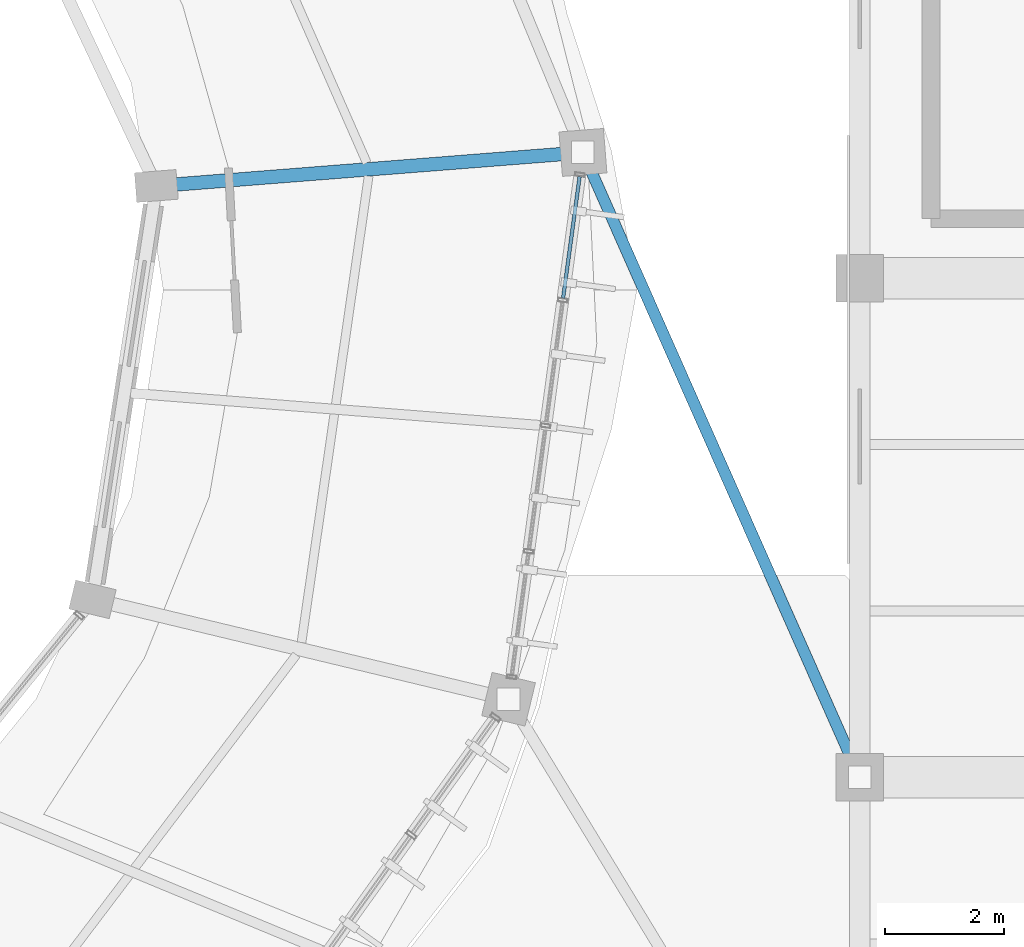
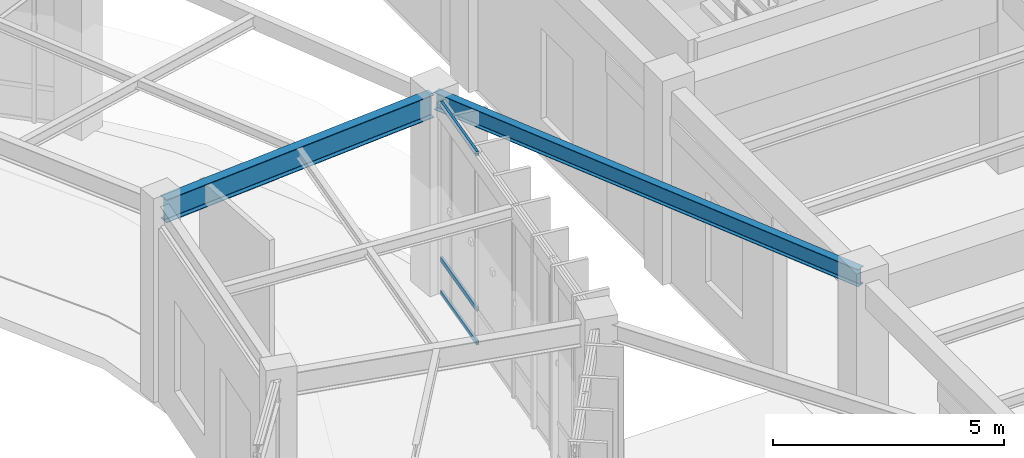
# One storey, part 100 of 157: 3 members, 2 beams, 1 element without a shape of its own.
"""IFC4 building model written with IfcOpenShell, lengths in metres."""

from ifc_helpers import new_model, si_unit, direction, frame, origin, origin_2d, place, context, subcontext, project, spatial, hollow_rectangle, i_section, extrude, material, material_profile, profile_set, type_object, element, aggregate, save


model = new_model("IFC4")

# Units and contexts
model_context = context("Model", 3, precision=1e-05, world=origin(), true_north=direction((0.0, 1.0)))
body_context = subcontext(model_context, "Body", "Model", "MODEL_VIEW")
ifc_project = project(units=[si_unit("LENGTHUNIT", "METRE"), si_unit("AREAUNIT", "SQUARE_METRE"), si_unit("VOLUMEUNIT", "CUBIC_METRE"), si_unit("PLANEANGLEUNIT", "RADIAN"), si_unit("MASSUNIT", "GRAM", prefix="KILO"), si_unit("THERMODYNAMICTEMPERATUREUNIT", "KELVIN"), si_unit("POWERUNIT", "WATT")], contexts=[model_context])

# Site, building, storey
site_placement = place(None, origin())
site = spatial("IfcSite", under=ifc_project, at=site_placement, CompositionType="ELEMENT")
building_placement = place(site_placement, origin())
building = spatial("IfcBuilding", under=site, at=building_placement, Name="Darbajah Civic Hall", CompositionType="ELEMENT")
storey_placement = place(building_placement, origin())
storey = spatial("IfcBuildingStorey", under=building, at=storey_placement, Name="L00", CompositionType="ELEMENT", Elevation=0.0)

# Curtain wall, members
ifc_material_1 = material(Name="Anodised Bronze Aluminium and Low-E Glazing", Category="aluminium")
curtain_wall_type = type_object("IfcCurtainWallType", Name="Unitised Curtain Wall CW-18 8500x5100", PredefinedType="USERDEFINED", material=ifc_material_1)
curtain_wall_placement = place(storey_placement, origin())
curtain_wall = element("IfcCurtainWall", 1, at=curtain_wall_placement, inside=storey, type_object=curtain_wall_type, Name="L00 unitised curtain wall CW-V1O-L00-19", ObjectType="UNITISED CURTAIN WALL", PredefinedType="USERDEFINED")
ifc_material_2 = material(Name="Anodised Bronze Aluminium", Category="aluminium")
ifc_material_profile_1 = material_profile(ifc_material_2, hollow_rectangle(XDim=0.06005859375, YDim=0.1201171875, WallThickness=0.003173828125, at=origin_2d()), Name="ALU TRANSOM 60x120")
ifc_profile_set_1 = profile_set([ifc_material_profile_1], Name="Anodised Bronze Aluminium")
member_type = type_object("IfcMemberType", Name="ALU TRANSOM 60x120", PredefinedType="USERDEFINED", material=ifc_profile_set_1)
member_1_placement = place(storey_placement, frame((139.609130859375, 89.662109375, 0.06005859375), z_axis=(0.134791058851, 0.990874043688, 0.0), x_axis=(-0.990874043688, 0.134791058851, 0.0)))
member_1 = element("IfcMember", 2, at=member_1_placement, type_object=member_type, Name="CW-V1O-L00-19 transom 4.1", ObjectType="TRANSOM", PredefinedType="USERDEFINED", context=body_context, shape_type="SweptSolid", body=[
    extrude(hollow_rectangle(XDim=0.06005859375, YDim=0.1201171875, WallThickness=0.003173828125, at=origin_2d()), origin(), (0.0, 0.0, 1.0), 2.06298828125),
])
member_2_placement = place(storey_placement, frame((139.609130859375, 89.662109375, 0.949951171875), z_axis=(0.134791058851, 0.990874043688, 0.0), x_axis=(-0.990874043688, 0.134791058851, 0.0)))
member_2 = element("IfcMember", 3, at=member_2_placement, type_object=member_type, Name="CW-V1O-L00-19 transom 4.2", ObjectType="TRANSOM", PredefinedType="USERDEFINED", context=body_context, shape_type="SweptSolid", body=[
    extrude(hollow_rectangle(XDim=0.06005859375, YDim=0.1201171875, WallThickness=0.003173828125, at=origin_2d()), origin(), (0.0, 0.0, 1.0), 2.06298828125),
])
member_3_placement = place(storey_placement, frame((139.609130859375, 89.662109375, 5.06005859375), z_axis=(0.134791058851, 0.990874043688, 0.0), x_axis=(-0.990874043688, 0.134791058851, 0.0)))
member_3 = element("IfcMember", 4, at=member_3_placement, type_object=member_type, Name="CW-V1O-L00-19 transom 4.3", ObjectType="TRANSOM", PredefinedType="USERDEFINED", context=body_context, shape_type="SweptSolid", body=[
    extrude(hollow_rectangle(XDim=0.06005859375, YDim=0.1201171875, WallThickness=0.003173828125, at=origin_2d()), origin(), (0.0, 0.0, 1.0), 2.06298828125),
])
aggregate(curtain_wall, [member_1, member_2, member_3])

# Beams
ifc_material_3 = material(Name="Steel S355JR", Category="steel")
ifc_material_profile_2 = material_profile(ifc_material_3, i_section(OverallWidth=0.1904296875, OverallDepth=0.45703125, WebThickness=0.009033203125, FlangeThickness=0.014404296875, FilletRadius=0.01025390625, at=origin_2d()), Name="UB 457x191x74")
ifc_profile_set_2 = profile_set([ifc_material_profile_2], Name="Steel S355JR")
beam_type_1 = type_object("IfcBeamType", Name="UB 457x191x74", PredefinedType="BEAM", material=ifc_profile_set_2)
beam_1_placement = place(storey_placement, frame((139.967041015625, 92.0595703125, 4.931396484375), z_axis=(0.40498560318, -0.914323061733, 0.0), x_axis=(0.914323061733, 0.40498560318, 0.0)))
element("IfcBeam", 5, at=beam_1_placement, inside=storey, type_object=beam_type_1, Name="L00 beam SB-457", PredefinedType="BEAM", context=body_context, shape_type="SweptSolid", body=[
    extrude(i_section(OverallWidth=0.1904296875, OverallDepth=0.45703125, WebThickness=0.009033203125, FlangeThickness=0.014404296875, FilletRadius=0.01025390625, at=origin_2d()), origin(), (0.0, 0.0, 1.0), 11.3798828125),
])
ifc_material_profile_3 = material_profile(ifc_material_3, i_section(OverallWidth=0.228271484375, OverallDepth=0.607666015625, WebThickness=0.010986328125, FlangeThickness=0.017333984375, FilletRadius=0.0126953125, at=origin_2d()), Name="UB 610x229x113")
ifc_profile_set_3 = profile_set([ifc_material_profile_3], Name="Steel S355JR")
beam_type_2 = type_object("IfcBeamType", Name="UB 610x229x113", PredefinedType="BEAM", material=ifc_profile_set_3)
beam_2_placement = place(storey_placement, frame((132.8447265625, 91.555908203125, 4.816162109375), z_axis=(0.996918521601, 0.078444000969, 0.0), x_axis=(-0.078444000969, 0.996918521601, 0.0)))
element("IfcBeam", 6, at=beam_2_placement, inside=storey, type_object=beam_type_2, Name="L00 beam SB-610", PredefinedType="BEAM", context=body_context, shape_type="SweptSolid", body=[
    extrude(i_section(OverallWidth=0.228271484375, OverallDepth=0.607666015625, WebThickness=0.010986328125, FlangeThickness=0.017333984375, FilletRadius=0.0126953125, at=origin_2d()), origin(), (0.0, 0.0, 1.0), 7.0400390625),
])

save(model, "model.ifc")
